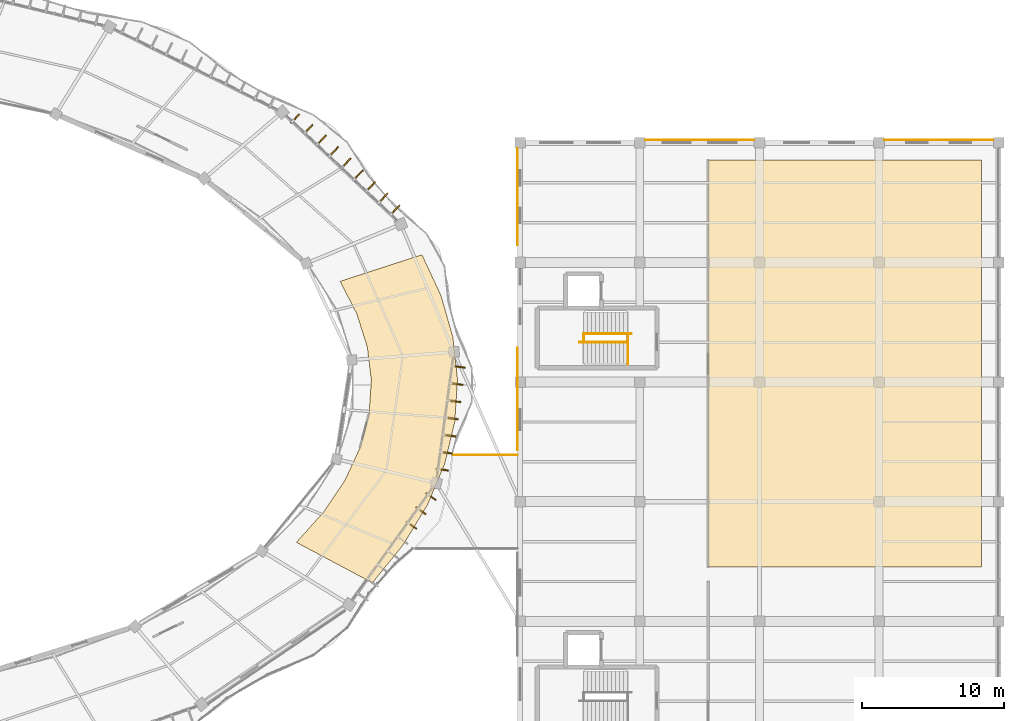
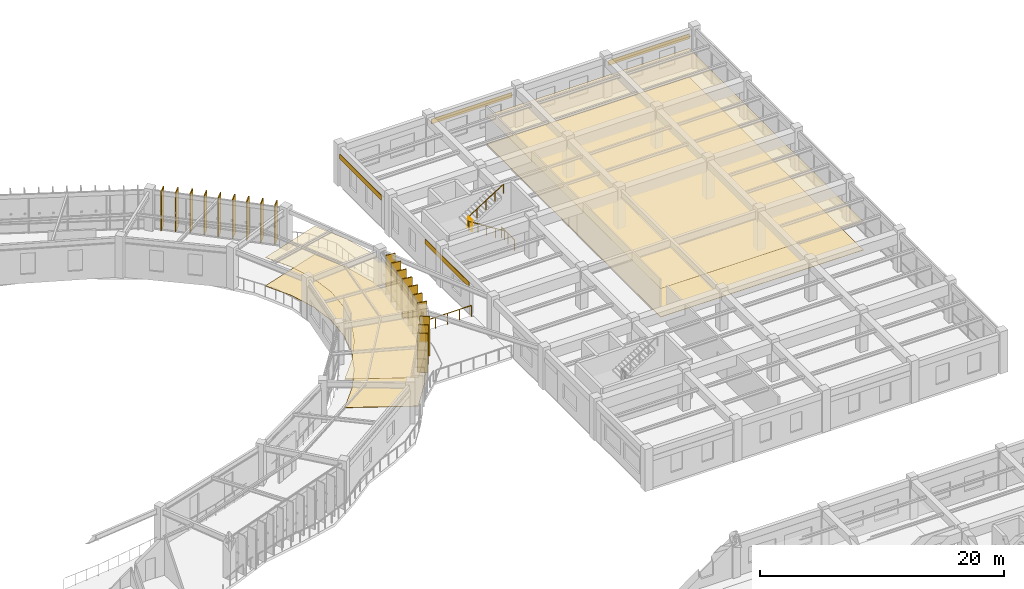
# One storey, part 152 of 152: 19 shading devices, 8 coverings, 5 railings.
"""IFC4 building model written with IfcOpenShell, lengths in metres."""

import ifcopenshell
import ifcopenshell.guid

model = None  # the IFC model being written
_history = None  # IfcOwnerHistory: only IFC2X3 demands one
_inside = {}  # id of a spatial element -> (the spatial element, [elements in it])
_under = {}  # id of a project, library or spatial element -> (it, [spatial elements below it])
_declared = {}  # id of a project -> (the project, [libraries it declares])
_typed = {}  # id of a type object -> (the type object, [elements of that type])
_made_of = {}  # id of a material, layer set ... -> (it, [elements and type objects made of it])


def new_model(schema):
    """Start an empty IFC model of exactly this schema.

    Asked for "IFC4X3", IfcOpenShell would pick the latest addendum, in which some entities
    have other attributes; the version numbers below select the first issue.
    IFC2X3 requires an IfcOwnerHistory on every rooted entity: one is made here for all.
    """
    global model, _history
    if schema == "IFC4X3":
        model = ifcopenshell.file(schema_version=(4, 3, 0, 0))
    else:
        model = ifcopenshell.file(schema=schema)
    _inside.clear()
    _under.clear()
    _declared.clear()
    _typed.clear()
    _made_of.clear()
    _history = None
    if model.schema == "IFC2X3":
        org = make("IfcOrganization", Name="unknown")
        user = make(
            "IfcPersonAndOrganization",
            ThePerson=make("IfcPerson", FamilyName="unknown"),
            TheOrganization=org,
        )
        app = make(
            "IfcApplication",
            ApplicationDeveloper=org,
            Version="unknown",
            ApplicationFullName="unknown",
            ApplicationIdentifier="unknown",
        )
        _history = make(
            "IfcOwnerHistory",
            OwningUser=user,
            OwningApplication=app,
            ChangeAction="ADDED",
            CreationDate=0,
        )
    return model


def make(cls, **values):
    """One entity of the class cls with the attributes given. An attribute that is None is left unset."""
    return model.create_entity(
        cls, **{name: value for name, value in values.items() if value is not None}
    )


def rooted(cls, **values):
    """An entity with a GlobalId (a new one), such as an element, a storey or a relation."""
    return make(cls, GlobalId=ifcopenshell.guid.new(), OwnerHistory=_history, **values)


def si_unit(unit_type, name, prefix=None):
    """IfcSIUnit, for example si_unit("LENGTHUNIT", "METRE", prefix="MILLI")."""
    return make("IfcSIUnit", UnitType=unit_type, Prefix=prefix, Name=name)


def assignment(units):
    """IfcUnitAssignment: the units of a project."""
    return None if units is None else make("IfcUnitAssignment", Units=units)


def point(xyz):
    """IfcCartesianPoint."""
    return None if xyz is None else make("IfcCartesianPoint", Coordinates=xyz)


def direction(xyz):
    """IfcDirection."""
    return None if xyz is None else make("IfcDirection", DirectionRatios=xyz)


def frame(location, z_axis=None, x_axis=None):
    """IfcAxis2Placement3D, a coordinate frame: its origin and axes. An axis left out is left unset."""
    return make(
        "IfcAxis2Placement3D",
        Location=point(location),
        Axis=direction(z_axis),
        RefDirection=direction(x_axis),
    )


def frame_2d(location, x_axis=None):
    """IfcAxis2Placement2D, a coordinate frame in the plane: its origin and x axis."""
    return make(
        "IfcAxis2Placement2D", Location=point(location), RefDirection=direction(x_axis)
    )


def origin():
    """The frame at (0, 0, 0) with its axes left unset."""
    return frame((0.0, 0.0, 0.0))


def origin_2d():
    """The frame at (0, 0) in the plane with its x axis left unset."""
    return frame_2d((0.0, 0.0))


def place(relative_to, where):
    """IfcLocalPlacement: puts the frame where relative to a parent placement (None: the world)."""
    return make(
        "IfcLocalPlacement", PlacementRelTo=relative_to, RelativePlacement=where
    )


def context(
    kind, dimensions, precision=None, world=None, true_north=None, identifier=None
):
    """IfcGeometricRepresentationContext, for example the 3D "Model" context."""
    return make(
        "IfcGeometricRepresentationContext",
        ContextIdentifier=identifier,
        ContextType=kind,
        CoordinateSpaceDimension=dimensions,
        Precision=precision,
        WorldCoordinateSystem=world,
        TrueNorth=true_north,
    )


def subcontext(parent, identifier, kind, view, scale=None):
    """IfcGeometricRepresentationSubContext, for example "Body" below "Model"."""
    return make(
        "IfcGeometricRepresentationSubContext",
        ContextIdentifier=identifier,
        ContextType=kind,
        ParentContext=parent,
        TargetScale=scale,
        TargetView=view,
    )


def project(units=None, contexts=None):
    """IfcProject with its units and contexts."""
    return rooted(
        "IfcProject",
        Name="project",
        RepresentationContexts=contexts,
        UnitsInContext=assignment(units),
    )


def spatial(cls, under=None, at=None, **own):
    """A site, building, storey or space (cls), placed at a placement, below another one or the project."""
    s = rooted(cls, ObjectPlacement=at, **own)
    if under is not None:
        _under.setdefault(under.id(), (under, []))[1].append(s)
    return s


def polyline(points):
    """IfcPolyline through the points."""
    return make("IfcPolyline", Points=[point(p) for p in points])


def profile(cls, at=None, kind="AREA", **sizes):
    """A parametric profile (cls). Its sizes go by their IFC names, for example OverallWidth=200.0."""
    return make(cls, ProfileType=kind, Position=at, **sizes)


def rectangle(**sizes):
    """IfcRectangleProfileDef."""
    return profile("IfcRectangleProfileDef", **sizes)


def circle(**sizes):
    """IfcCircleProfileDef."""
    return profile("IfcCircleProfileDef", **sizes)


def outline(outer, holes=None, kind="AREA"):
    """IfcArbitraryClosedProfileDef: a profile drawn as a closed curve; with holes, ...WithVoids."""
    if holes is None:
        return make("IfcArbitraryClosedProfileDef", ProfileType=kind, OuterCurve=outer)
    return make(
        "IfcArbitraryProfileDefWithVoids",
        ProfileType=kind,
        OuterCurve=outer,
        InnerCurves=holes,
    )


def extrude(swept, where, along, depth):
    """IfcExtrudedAreaSolid: the profile swept, set in the frame where, extruded along a direction by depth."""
    return make(
        "IfcExtrudedAreaSolid",
        SweptArea=swept,
        Position=where,
        ExtrudedDirection=direction(along),
        Depth=depth,
    )


def shape(context_of_items, identifier, shape_type, items):
    """IfcShapeRepresentation: the items that make up one representation, for example the "Body"."""
    return make(
        "IfcShapeRepresentation",
        ContextOfItems=context_of_items,
        RepresentationIdentifier=identifier,
        RepresentationType=shape_type,
        Items=items,
    )


def material(Name=None, Category=None):
    """IfcMaterial."""
    return make("IfcMaterial", Name=Name, Category=Category)


def layer(
    of_material, thickness, ventilated=None, Name=None, Category=None, Priority=None
):
    """IfcMaterialLayer: one layer of a wall or slab, of a material (None: an air gap)."""
    return make(
        "IfcMaterialLayer",
        Material=of_material,
        LayerThickness=thickness,
        IsVentilated=ventilated,
        Name=Name,
        Category=Category,
        Priority=Priority,
    )


def layer_set(layers, Name=None):
    """IfcMaterialLayerSet."""
    return make("IfcMaterialLayerSet", MaterialLayers=layers, LayerSetName=Name)


def made_of(thing, what):
    """Note that an element or type object is made of a material, layer set ...; save() writes the relation."""
    if what is not None:
        _made_of.setdefault(what.id(), (what, []))[1].append(thing)
    return thing


def type_object(cls, material=None, **own):
    """A type object (cls), such as IfcWallType, which elements share."""
    return made_of(rooted(cls, **own), material)


def element(
    cls,
    number,
    at=None,
    inside=None,
    cuts=None,
    type_object=None,
    material=None,
    context=None,
    identifier="Body",
    shape_type=None,
    held_by="IfcProductDefinitionShape",
    body=None,
    shapes=None,
    **own,
):
    """One element of the class cls, such as IfcWall. Its Tag is "e" and its number.

    at: its placement. inside: the storey or other place that contains it. cuts: it is an
    opening in that element (IfcRelVoidsElement). A single representation is given by context,
    identifier, shape_type and body (its items); several are given by shapes. held_by: the class
    of the entity that holds the representations. save() writes the other relations.
    """
    e = rooted(cls, Tag="e%d" % number, ObjectPlacement=at, **own)
    if body is not None:
        shapes = [shape(context, identifier, shape_type, body)]
    if shapes is not None:
        e.Representation = make(held_by, Representations=shapes)
    if inside is not None:
        _inside.setdefault(inside.id(), (inside, []))[1].append(e)
    if cuts is not None:
        rooted(
            "IfcRelVoidsElement", RelatingBuildingElement=cuts, RelatedOpeningElement=e
        )
    if type_object is not None:
        _typed.setdefault(type_object.id(), (type_object, []))[1].append(e)
    return made_of(e, material)


def aggregate(whole, parts):
    """IfcRelAggregates: a whole, such as a stair, and the parts it consists of."""
    return rooted("IfcRelAggregates", RelatingObject=whole, RelatedObjects=parts)


def save(model, path):
    """Write the relations noted so far, then the file.

    IfcRelAggregates (storeys below a building ...), IfcRelContainedInSpatialStructure (elements
    in a storey), IfcRelDefinesByType, IfcRelAssociatesMaterial and IfcRelDeclares: one each for
    every whole, place, type object, material and project.
    """
    for whole, parts in _under.values():
        aggregate(whole, parts)
    for where, things in _inside.values():
        rooted(
            "IfcRelContainedInSpatialStructure",
            RelatedElements=things,
            RelatingStructure=where,
        )
    for kind, things in _typed.values():
        rooted("IfcRelDefinesByType", RelatedObjects=things, RelatingType=kind)
    for what, things in _made_of.values():
        rooted("IfcRelAssociatesMaterial", RelatedObjects=things, RelatingMaterial=what)
    for by, libraries in _declared.values():
        rooted("IfcRelDeclares", RelatingContext=by, RelatedDefinitions=libraries)
    model.write(path)


model = new_model("IFC4")

# Units and contexts
model_context = context("Model", 3, precision=1e-05, world=origin(), true_north=direction((0.0, 1.0)))
body_context = subcontext(model_context, "Body", "Model", "MODEL_VIEW")
ifc_project = project(units=[si_unit("LENGTHUNIT", "METRE"), si_unit("AREAUNIT", "SQUARE_METRE"), si_unit("VOLUMEUNIT", "CUBIC_METRE"), si_unit("PLANEANGLEUNIT", "RADIAN"), si_unit("MASSUNIT", "GRAM", prefix="KILO"), si_unit("THERMODYNAMICTEMPERATUREUNIT", "KELVIN"), si_unit("POWERUNIT", "WATT")], contexts=[model_context])

# Site, building, storey
site_placement = place(None, origin())
site = spatial("IfcSite", under=ifc_project, at=site_placement, CompositionType="ELEMENT")
building_placement = place(site_placement, origin())
building = spatial("IfcBuilding", under=site, at=building_placement, Name="Darbajah Civic Hall", CompositionType="ELEMENT")
storey_placement = place(building_placement, frame((0.0, 0.0, 5.39990234375)))
storey = spatial("IfcBuildingStorey", under=building, at=storey_placement, Name="L01", CompositionType="ELEMENT", Elevation=5.39990234375)

# Railings
ifc_material_1 = material(Name="Brushed Bronze Stainless Steel", Category="steel")
railing_type_1 = type_object("IfcRailingType", Name="Brushed Bronze Handrail", PredefinedType="HANDRAIL", material=ifc_material_1)
railing_1_placement = place(storey_placement, frame((152.1201171875, 92.800048828125, 0.175048828125)))
element("IfcRailing", 1, at=railing_1_placement, inside=storey, type_object=railing_type_1, Name="ST08 L01 lower flight handrail", PredefinedType="HANDRAIL", context=body_context, shape_type="SweptSolid", body=[
    extrude(circle(Radius=0.02392578125, at=origin_2d()), frame((-0.023193359375, 0.0, 0.910400390625), z_axis=(-0.845944288966, 0.0, 0.533271281775), x_axis=(0.0, -1.0, 0.0)), (0.0, 0.0, 1.0), 3.91748046875),
    extrude(circle(Radius=0.02099609375, at=origin_2d()), origin(), (0.0, 0.0, 1.0), 0.867919921875),
    extrude(circle(Radius=0.02099609375, at=origin_2d()), frame((-0.840087890625, 0.0, 0.529541015625)), (0.0, 0.0, 1.0), 0.867919921875),
    extrude(circle(Radius=0.02099609375, at=origin_2d()), frame((-1.68017578125, 0.0, 1.05908203125)), (0.0, 0.0, 1.0), 0.867919921875),
    extrude(circle(Radius=0.02099609375, at=origin_2d()), frame((-2.52001953125, 0.0, 1.588623046875)), (0.0, 0.0, 1.0), 0.867919921875),
    extrude(circle(Radius=0.02099609375, at=origin_2d()), frame((-3.360107421875, 0.0, 2.1181640625)), (0.0, 0.0, 1.0), 0.867919921875),
])
railing_2_placement = place(storey_placement, frame((149.0400390625, 93.39990234375, 2.275146484375)))
element("IfcRailing", 2, at=railing_2_placement, inside=storey, type_object=railing_type_1, Name="ST08 L01 upper flight handrail", PredefinedType="HANDRAIL", context=body_context, shape_type="SweptSolid", body=[
    extrude(circle(Radius=0.02392578125, at=origin_2d()), frame((0.023193359375, 0.0, 0.910400390625), z_axis=(0.845926808262, 0.0, 0.533299010935), x_axis=(0.0, 1.0, 0.0)), (0.0, 0.0, 1.0), 3.917236328125),
    extrude(circle(Radius=0.02099609375, at=origin_2d()), origin(), (0.0, 0.0, 1.0), 0.867919921875),
    extrude(circle(Radius=0.02099609375, at=origin_2d()), frame((0.83984375, 0.0, 0.529541015625)), (0.0, 0.0, 1.0), 0.867919921875),
    extrude(circle(Radius=0.02099609375, at=origin_2d()), frame((1.679931640625, 0.0, 1.05908203125)), (0.0, 0.0, 1.0), 0.867919921875),
    extrude(circle(Radius=0.02099609375, at=origin_2d()), frame((2.52001953125, 0.0, 1.588623046875)), (0.0, 0.0, 1.0), 0.867919921875),
    extrude(circle(Radius=0.02099609375, at=origin_2d()), frame((3.35986328125, 0.0, 2.1181640625)), (0.0, 0.0, 1.0), 0.867919921875),
])
ifc_material_2 = material(Name="Anodised Bronze Aluminium and Laminated Safety Glass", Category="aluminium")
railing_type_2 = type_object("IfcRailingType", Name="Exterior Terrace Balustrade Guard", PredefinedType="BALUSTRADE", material=ifc_material_2)
railing_3_placement = place(storey_placement, frame((139.901123046875, 84.8798828125, 0.0)))
element("IfcRailing", 3, at=railing_3_placement, inside=storey, type_object=railing_type_2, Name="L01 East link walk north guard", PredefinedType="BALUSTRADE", context=body_context, shape_type="SweptSolid", body=[
    extrude(circle(Radius=0.02392578125, at=origin_2d()), frame((0.02734375, 0.0, 1.09619140625), z_axis=(1.0, 0.0, 0.0), x_axis=(0.0, 1.0, 0.0)), (0.0, 0.0, 1.0), 4.45751953125),
    extrude(circle(Radius=0.02099609375, at=origin_2d()), origin(), (0.0, 0.0, 1.0), 1.068115234375),
    extrude(circle(Radius=0.02099609375, at=origin_2d()), frame((1.1279296875, 0.0, 0.0)), (0.0, 0.0, 1.0), 1.068115234375),
    extrude(circle(Radius=0.02099609375, at=origin_2d()), frame((2.256103515625, 0.0, 0.0)), (0.0, 0.0, 1.0), 1.068115234375),
    extrude(circle(Radius=0.02099609375, at=origin_2d()), frame((3.38427734375, 0.0, 0.0)), (0.0, 0.0, 1.0), 1.068115234375),
    extrude(circle(Radius=0.02099609375, at=origin_2d()), frame((4.51220703125, 0.0, 0.0)), (0.0, 0.0, 1.0), 1.068115234375),
])

# Coverings
ifc_material_3 = material(Name="Honed Qatari Limestone Terrazzo", Category="masonry")
ifc_layer_1 = layer(ifc_material_3, 0.030029296875, Name="Honed Qatari Limestone Terrazzo")
ifc_layer_set_1 = layer_set([ifc_layer_1], Name="Honed Qatari Limestone Terrazzo")
covering_type_1 = type_object("IfcCoveringType", Name="Honed Qatari Limestone Terrazzo Flooring", PredefinedType="FLOORING", material=ifc_layer_set_1)
covering_1_placement = place(storey_placement, origin())
element("IfcCovering", 4, at=covering_1_placement, inside=storey, type_object=covering_type_1, Name="L01 stone terrazzo flooring L01-V1-02", PredefinedType="FLOORING", context=body_context, shape_type="SweptSolid", body=[
    extrude(outline(polyline([(134.218505859375, 75.903564453125), (136.39501953125, 78.592041015625), (138.095703125, 81.39306640625), (139.30322265625, 84.27880859375), (140.005615234375, 87.22021484375), (140.195556640625, 90.1875), (139.87158203125, 93.15087890625), (139.03662109375, 96.08056640625), (137.698974609375, 98.947021484375), (131.945068359375, 97.077392578125), (133.124267578125, 94.796875), (133.8603515625, 92.4658203125), (134.14599609375, 90.1083984375), (133.978515625, 87.74755859375), (133.359375, 85.407470703125), (132.294921875, 83.111328125), (130.795654296875, 80.8828125), (128.876708984375, 78.743896484375), (134.218505859375, 75.903564453125)])), origin(), (0.0, 0.0, 1.0), 0.030029296875),
])
covering_2_placement = place(storey_placement, origin())
element("IfcCovering", 5, at=covering_2_placement, inside=storey, type_object=covering_type_1, Name="L01 stone terrazzo flooring L01-V4-02", PredefinedType="FLOORING", context=body_context, shape_type="SweptSolid", body=[
    extrude(outline(polyline([(157.800048828125, 77.0), (177.0, 77.0), (177.0, 105.60009765625), (157.800048828125, 105.60009765625), (157.800048828125, 77.0)])), origin(), (0.0, 0.0, 1.0), 0.030029296875),
])

# Railings
ifc_material_4 = material(Name="Brushed Bronze and Laminated Safety Glass", Category="glass")
railing_type_3 = type_object("IfcRailingType", Name="Interior Guard Balustrade", PredefinedType="BALUSTRADE", material=ifc_material_4)
railing_4_placement = place(storey_placement, frame((152.169921875, 91.25, 0.0)))
element("IfcRailing", 6, at=railing_4_placement, inside=storey, type_object=railing_type_3, Name="ST08 L01 stair-well edge guard", PredefinedType="BALUSTRADE", context=body_context, shape_type="SweptSolid", body=[
    extrude(circle(Radius=0.02392578125, at=origin_2d()), frame((0.0, 0.02734375, 1.09619140625), z_axis=(0.0, 1.0, 0.0), x_axis=(-1.0, 0.0, 0.0)), (0.0, 0.0, 1.0), 2.09521484375),
    extrude(circle(Radius=0.02099609375, at=origin_2d()), origin(), (0.0, 0.0, 1.0), 1.068115234375),
    extrude(circle(Radius=0.02099609375, at=origin_2d()), frame((0.0, 1.074951171875, 0.0)), (0.0, 0.0, 1.0), 1.068115234375),
    extrude(circle(Radius=0.02099609375, at=origin_2d()), frame((0.0, 2.14990234375, 0.0)), (0.0, 0.0, 1.0), 1.068115234375),
])
railing_5_placement = place(storey_placement, frame((149.06005859375, 92.800048828125, 2.10009765625)))
element("IfcRailing", 7, at=railing_5_placement, inside=storey, type_object=railing_type_3, Name="ST08 L01 landing well guard", PredefinedType="BALUSTRADE", context=body_context, shape_type="SweptSolid", body=[
    extrude(circle(Radius=0.02392578125, at=origin_2d()), frame((0.0, 0.02734375, 1.09619140625), z_axis=(0.0, 1.0, 0.0), x_axis=(-1.0, 0.0, 0.0)), (0.0, 0.0, 1.0), 0.545166015625),
    extrude(circle(Radius=0.02099609375, at=origin_2d()), origin(), (0.0, 0.0, 1.0), 1.068115234375),
    extrude(circle(Radius=0.02099609375, at=origin_2d()), frame((0.0, 0.599853515625, 0.0)), (0.0, 0.0, 1.0), 1.068115234375),
])

# Coverings
ifc_material_5 = material(Name="Qatari Desert Limestone Ashlar", Category="masonry")
ifc_layer_2 = layer(ifc_material_5, 0.044921875, Name="Qatari Desert Limestone Ashlar")
ifc_layer_set_2 = layer_set([ifc_layer_2], Name="Qatari Desert Limestone Ashlar")
covering_type_2 = type_object("IfcCoveringType", Name="Limestone Facade Cladding", PredefinedType="CLADDING", material=ifc_layer_set_2)
covering_3_placement = place(storey_placement, frame((0.0, 0.0, 2.710205078125)))
element("IfcCovering", 8, at=covering_3_placement, inside=storey, type_object=covering_type_2, Name="L01 stone frieze cladding EW-V4-L01-S2-B0", PredefinedType="CLADDING", context=body_context, shape_type="SweptSolid", body=[
    extrude(outline(polyline([(177.822998046875, 106.969970703125), (170.177001953125, 106.969970703125), (170.177001953125, 107.014892578125), (177.822998046875, 107.014892578125), (177.822998046875, 106.969970703125)])), origin(), (0.0, 0.0, 1.0), 0.5),
])
covering_4_placement = place(storey_placement, frame((0.0, 0.0, 2.710205078125)))
element("IfcCovering", 9, at=covering_4_placement, inside=storey, type_object=covering_type_2, Name="L01 stone frieze cladding EW-V4-L01-S2-B2", PredefinedType="CLADDING", context=body_context, shape_type="SweptSolid", body=[
    extrude(outline(polyline([(161.02294921875, 106.969970703125), (153.376953125, 106.969970703125), (153.376953125, 107.014892578125), (161.02294921875, 107.014892578125), (161.02294921875, 106.969970703125)])), origin(), (0.0, 0.0, 1.0), 0.5),
])
covering_5_placement = place(storey_placement, frame((0.0, 0.0, 2.710205078125)))
element("IfcCovering", 10, at=covering_5_placement, inside=storey, type_object=covering_type_2, Name="L01 stone frieze cladding EW-V4-L01-S3-B0", PredefinedType="CLADDING", context=body_context, shape_type="SweptSolid", body=[
    extrude(outline(polyline([(144.429931640625, 106.423095703125), (144.429931640625, 99.60009765625), (144.385009765625, 99.60009765625), (144.385009765625, 106.423095703125), (144.429931640625, 106.423095703125)])), origin(), (0.0, 0.0, 1.0), 0.5),
])
covering_6_placement = place(storey_placement, frame((0.0, 0.0, 2.710205078125)))
element("IfcCovering", 11, at=covering_6_placement, inside=storey, type_object=covering_type_2, Name="L01 stone frieze cladding EW-V4-L01-S3-B2", PredefinedType="CLADDING", context=body_context, shape_type="SweptSolid", body=[
    extrude(outline(polyline([(144.429931640625, 92.39990234375), (144.429931640625, 85.199951171875), (144.385009765625, 85.199951171875), (144.385009765625, 92.39990234375), (144.429931640625, 92.39990234375)])), origin(), (0.0, 0.0, 1.0), 0.5),
])
ifc_material_6 = material(Name="Perforated Acoustic Gypsum Board")
ifc_layer_3 = layer(ifc_material_6, 0.02490234375, Name="Perforated Acoustic Gypsum Board")
ifc_layer_set_3 = layer_set([ifc_layer_3], Name="Perforated Acoustic Gypsum Board")
covering_type_3 = type_object("IfcCoveringType", Name="Perforated Acoustic Gypsum Ceiling", PredefinedType="CEILING", material=ifc_layer_set_3)
covering_7_placement = place(storey_placement, frame((0.0, 0.0, 2.85009765625)))
element("IfcCovering", 12, at=covering_7_placement, inside=storey, type_object=covering_type_3, Name="L01 acoustic suspended ceiling L01-V1-02", PredefinedType="CEILING", context=body_context, shape_type="SweptSolid", body=[
    extrude(outline(polyline([(134.218505859375, 75.903564453125), (136.39501953125, 78.592041015625), (138.095703125, 81.39306640625), (139.30322265625, 84.27880859375), (140.005615234375, 87.22021484375), (140.195556640625, 90.1875), (139.87158203125, 93.15087890625), (139.03662109375, 96.08056640625), (137.698974609375, 98.947021484375), (131.945068359375, 97.077392578125), (133.124267578125, 94.796875), (133.8603515625, 92.4658203125), (134.14599609375, 90.1083984375), (133.978515625, 87.74755859375), (133.359375, 85.407470703125), (132.294921875, 83.111328125), (130.795654296875, 80.8828125), (128.876708984375, 78.743896484375), (134.218505859375, 75.903564453125)])), origin(), (0.0, 0.0, 1.0), 0.02490234375),
])
covering_8_placement = place(storey_placement, frame((0.0, 0.0, 2.85009765625)))
element("IfcCovering", 13, at=covering_8_placement, inside=storey, type_object=covering_type_3, Name="L01 acoustic suspended ceiling L01-V4-02", PredefinedType="CEILING", context=body_context, shape_type="SweptSolid", body=[
    extrude(outline(polyline([(157.800048828125, 77.0), (177.0, 77.0), (177.0, 105.60009765625), (157.800048828125, 105.60009765625), (157.800048828125, 77.0)])), origin(), (0.0, 0.0, 1.0), 0.02490234375),
])

# Shading devices
ifc_material_7 = material(Name="Bronze Anodised Aluminium and Teak Composite", Category="aluminium")
shading_device_type = type_object("IfcShadingDeviceType", Name="Vertical Bronze Timber Shading Fin", PredefinedType="USERDEFINED", material=ifc_material_7)
for number, where, z_axis, x_axis, name in (
    (14, (135.864501953125, 102.131103515625, 0.000244140625), (0.0, 0.0, 1.0), (0.686453193248, 0.727173991201, 0.0), "L01 vertical shading fin VF-01-1"),
    (15, (134.9990234375, 102.94775390625, 0.000244140625), (0.0, 0.0, 1.0), (0.686453193248, 0.727173991201, 0.0), "L01 vertical shading fin VF-01-2"),
    (16, (134.133544921875, 103.7646484375, 0.000244140625), (0.0, 0.0, 1.0), (0.686453193248, 0.727173991201, 0.0), "L01 vertical shading fin VF-01-3"),
    (17, (133.268310546875, 104.58154296875, 0.000244140625), (0.0, 0.0, 1.0), (0.686453193248, 0.727173991201, 0.0), "L01 vertical shading fin VF-01-4"),
    (18, (132.40283203125, 105.3984375, 0.000244140625), (0.0, 0.0, 1.0), (0.686453193248, 0.727173991201, 0.0), "L01 vertical shading fin VF-01-5"),
    (19, (131.537353515625, 106.21533203125, 0.000244140625), (0.0, 0.0, 1.0), (0.686453193248, 0.727173991201, 0.0), "L01 vertical shading fin VF-01-6"),
    (20, (130.67041015625, 107.030517578125, 0.000244140625), (0.0, 0.0, 1.0), (0.686453193248, 0.727173991201, 0.0), "L01 vertical shading fin VF-01-7"),
    (21, (129.72119140625, 107.7587890625, 0.000244140625), (0.0, 0.0, 1.0), (0.686453193248, 0.727173991201, 0.0), "L01 vertical shading fin VF-01-8"),
    (22, (128.787109375, 108.502685546875, 0.000244140625), (0.0, 0.0, 1.0), (0.686453193248, 0.727173991201, 0.0), "L01 vertical shading fin VF-01-9"),
    (23, (136.965087890625, 79.944091796875, 0.000244140625), (0.0, 0.0, 1.0), (0.812999149039, -0.582264874145, 0.0), "L01 vertical shading fin VF-18-6"),
    (24, (137.624267578125, 80.96875, 0.000244140625), (0.0, 0.0, 1.0), (0.812999149039, -0.582264874145, 0.0), "L01 vertical shading fin VF-18-7"),
    (25, (138.33251953125, 81.9580078125, 0.000244140625), (0.0, 0.0, 1.0), (0.812999149039, -0.582264874145, 0.0), "L01 vertical shading fin VF-18-8"),
    (26, (139.130126953125, 83.84912109375, 0.000244140625), (0.0, 0.0, 1.0), (0.990865897387, -0.134850930274, 0.0), "L01 vertical shading fin VF-19-1"),
    (27, (139.3974609375, 85.04296875, 0.000244140625), (0.0, 0.0, 1.0), (0.990865897387, -0.134850930274, 0.0), "L01 vertical shading fin VF-19-2"),
    (28, (139.662841796875, 86.23681640625, 0.000244140625), (0.0, 0.0, 1.0), (0.990865897387, -0.134850930274, 0.0), "L01 vertical shading fin VF-19-3"),
    (29, (139.8271484375, 87.444580078125, 0.000244140625), (0.0, 0.0, 1.0), (0.990865897387, -0.134850930274, 0.0), "L01 vertical shading fin VF-19-4"),
    (30, (139.991455078125, 88.652099609375, 0.000244140625), (0.0, 0.0, 1.0), (0.990865897387, -0.134850930274, 0.0), "L01 vertical shading fin VF-19-5"),
    (31, (140.15576171875, 89.85986328125, 0.000244140625), (0.0, 0.0, 1.0), (0.990865897387, -0.134850930274, 0.0), "L01 vertical shading fin VF-19-6"),
    (32, (140.320068359375, 91.067626953125, 0.000244140625), (0.0, 0.0, 1.0), (0.990865897387, -0.134850930274, 0.0), "L01 vertical shading fin VF-19-7"),
):
    element("IfcShadingDevice", number, at=place(storey_placement, frame(where, z_axis=z_axis, x_axis=x_axis)), inside=storey, type_object=shading_device_type, Name=name, ObjectType="VERTICAL FIN", PredefinedType="USERDEFINED", context=body_context, shape_type="SweptSolid", body=[
        extrude(rectangle(XDim=0.85009765625, YDim=0.090087890625, at=origin_2d()), origin(), (0.0, 0.0, 1.0), 3.919921875),
    ])

save(model, "model.ifc")
